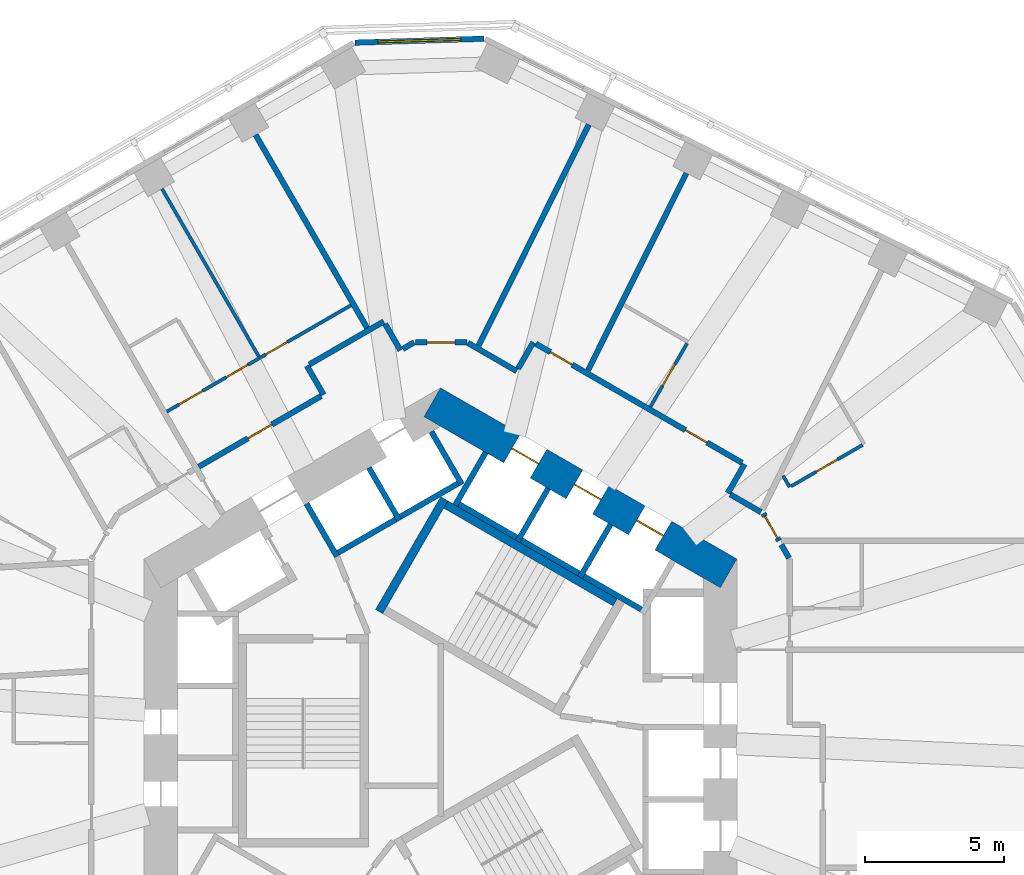
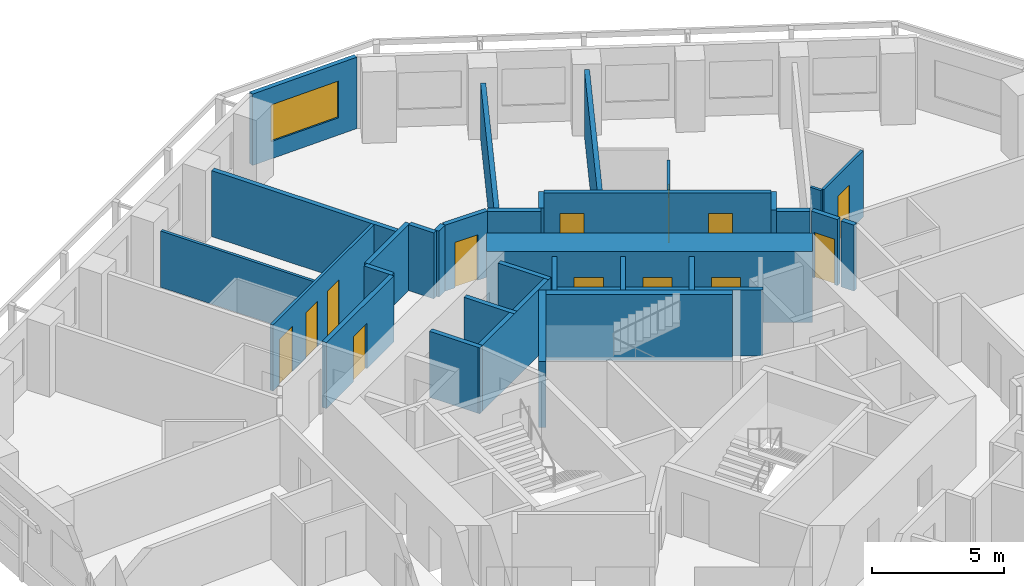
# One storey, part 8 of 12: 33 walls, 13 doors, 1 window, 14 openings.
"""IFC4 building model written with IfcOpenShell, lengths in metres."""

import ifcopenshell
import ifcopenshell.guid

model = None  # the IFC model being written
_history = None  # IfcOwnerHistory: only IFC2X3 demands one
_inside = {}  # id of a spatial element -> (the spatial element, [elements in it])
_under = {}  # id of a project, library or spatial element -> (it, [spatial elements below it])
_declared = {}  # id of a project -> (the project, [libraries it declares])
_typed = {}  # id of a type object -> (the type object, [elements of that type])
_made_of = {}  # id of a material, layer set ... -> (it, [elements and type objects made of it])


def new_model(schema):
    """Start an empty IFC model of exactly this schema.

    Asked for "IFC4X3", IfcOpenShell would pick the latest addendum, in which some entities
    have other attributes; the version numbers below select the first issue.
    IFC2X3 requires an IfcOwnerHistory on every rooted entity: one is made here for all.
    """
    global model, _history
    if schema == "IFC4X3":
        model = ifcopenshell.file(schema_version=(4, 3, 0, 0))
    else:
        model = ifcopenshell.file(schema=schema)
    _inside.clear()
    _under.clear()
    _declared.clear()
    _typed.clear()
    _made_of.clear()
    _history = None
    if model.schema == "IFC2X3":
        org = make("IfcOrganization", Name="unknown")
        user = make(
            "IfcPersonAndOrganization",
            ThePerson=make("IfcPerson", FamilyName="unknown"),
            TheOrganization=org,
        )
        app = make(
            "IfcApplication",
            ApplicationDeveloper=org,
            Version="unknown",
            ApplicationFullName="unknown",
            ApplicationIdentifier="unknown",
        )
        _history = make(
            "IfcOwnerHistory",
            OwningUser=user,
            OwningApplication=app,
            ChangeAction="ADDED",
            CreationDate=0,
        )
    return model


def make(cls, **values):
    """One entity of the class cls with the attributes given. An attribute that is None is left unset."""
    return model.create_entity(
        cls, **{name: value for name, value in values.items() if value is not None}
    )


def rooted(cls, **values):
    """An entity with a GlobalId (a new one), such as an element, a storey or a relation."""
    return make(cls, GlobalId=ifcopenshell.guid.new(), OwnerHistory=_history, **values)


def si_unit(unit_type, name, prefix=None):
    """IfcSIUnit, for example si_unit("LENGTHUNIT", "METRE", prefix="MILLI")."""
    return make("IfcSIUnit", UnitType=unit_type, Prefix=prefix, Name=name)


def assignment(units):
    """IfcUnitAssignment: the units of a project."""
    return None if units is None else make("IfcUnitAssignment", Units=units)


def point(xyz):
    """IfcCartesianPoint."""
    return None if xyz is None else make("IfcCartesianPoint", Coordinates=xyz)


def direction(xyz):
    """IfcDirection."""
    return None if xyz is None else make("IfcDirection", DirectionRatios=xyz)


def frame(location, z_axis=None, x_axis=None):
    """IfcAxis2Placement3D, a coordinate frame: its origin and axes. An axis left out is left unset."""
    return make(
        "IfcAxis2Placement3D",
        Location=point(location),
        Axis=direction(z_axis),
        RefDirection=direction(x_axis),
    )


def frame_2d(location, x_axis=None):
    """IfcAxis2Placement2D, a coordinate frame in the plane: its origin and x axis."""
    return make(
        "IfcAxis2Placement2D", Location=point(location), RefDirection=direction(x_axis)
    )


def origin():
    """The frame at (0, 0, 0) with its axes left unset."""
    return frame((0.0, 0.0, 0.0))


def place(relative_to, where):
    """IfcLocalPlacement: puts the frame where relative to a parent placement (None: the world)."""
    return make(
        "IfcLocalPlacement", PlacementRelTo=relative_to, RelativePlacement=where
    )


def context(
    kind, dimensions, precision=None, world=None, true_north=None, identifier=None
):
    """IfcGeometricRepresentationContext, for example the 3D "Model" context."""
    return make(
        "IfcGeometricRepresentationContext",
        ContextIdentifier=identifier,
        ContextType=kind,
        CoordinateSpaceDimension=dimensions,
        Precision=precision,
        WorldCoordinateSystem=world,
        TrueNorth=true_north,
    )


def subcontext(parent, identifier, kind, view, scale=None):
    """IfcGeometricRepresentationSubContext, for example "Body" below "Model"."""
    return make(
        "IfcGeometricRepresentationSubContext",
        ContextIdentifier=identifier,
        ContextType=kind,
        ParentContext=parent,
        TargetScale=scale,
        TargetView=view,
    )


def project(units=None, contexts=None):
    """IfcProject with its units and contexts."""
    return rooted(
        "IfcProject",
        Name="project",
        RepresentationContexts=contexts,
        UnitsInContext=assignment(units),
    )


def spatial(cls, under=None, at=None, **own):
    """A site, building, storey or space (cls), placed at a placement, below another one or the project."""
    s = rooted(cls, ObjectPlacement=at, **own)
    if under is not None:
        _under.setdefault(under.id(), (under, []))[1].append(s)
    return s


def profile(cls, at=None, kind="AREA", **sizes):
    """A parametric profile (cls). Its sizes go by their IFC names, for example OverallWidth=200.0."""
    return make(cls, ProfileType=kind, Position=at, **sizes)


def rectangle(**sizes):
    """IfcRectangleProfileDef."""
    return profile("IfcRectangleProfileDef", **sizes)


def extrude(swept, where, along, depth):
    """IfcExtrudedAreaSolid: the profile swept, set in the frame where, extruded along a direction by depth."""
    return make(
        "IfcExtrudedAreaSolid",
        SweptArea=swept,
        Position=where,
        ExtrudedDirection=direction(along),
        Depth=depth,
    )


def shape(context_of_items, identifier, shape_type, items):
    """IfcShapeRepresentation: the items that make up one representation, for example the "Body"."""
    return make(
        "IfcShapeRepresentation",
        ContextOfItems=context_of_items,
        RepresentationIdentifier=identifier,
        RepresentationType=shape_type,
        Items=items,
    )


def material(Name=None, Category=None):
    """IfcMaterial."""
    return make("IfcMaterial", Name=Name, Category=Category)


def layer(
    of_material, thickness, ventilated=None, Name=None, Category=None, Priority=None
):
    """IfcMaterialLayer: one layer of a wall or slab, of a material (None: an air gap)."""
    return make(
        "IfcMaterialLayer",
        Material=of_material,
        LayerThickness=thickness,
        IsVentilated=ventilated,
        Name=Name,
        Category=Category,
        Priority=Priority,
    )


def layer_set(layers, Name=None):
    """IfcMaterialLayerSet."""
    return make("IfcMaterialLayerSet", MaterialLayers=layers, LayerSetName=Name)


def made_of(thing, what):
    """Note that an element or type object is made of a material, layer set ...; save() writes the relation."""
    if what is not None:
        _made_of.setdefault(what.id(), (what, []))[1].append(thing)
    return thing


def type_object(cls, material=None, **own):
    """A type object (cls), such as IfcWallType, which elements share."""
    return made_of(rooted(cls, **own), material)


def element(
    cls,
    number,
    at=None,
    inside=None,
    cuts=None,
    type_object=None,
    material=None,
    context=None,
    identifier="Body",
    shape_type=None,
    held_by="IfcProductDefinitionShape",
    body=None,
    shapes=None,
    **own,
):
    """One element of the class cls, such as IfcWall. Its Tag is "e" and its number.

    at: its placement. inside: the storey or other place that contains it. cuts: it is an
    opening in that element (IfcRelVoidsElement). A single representation is given by context,
    identifier, shape_type and body (its items); several are given by shapes. held_by: the class
    of the entity that holds the representations. save() writes the other relations.
    """
    e = rooted(cls, Tag="e%d" % number, ObjectPlacement=at, **own)
    if body is not None:
        shapes = [shape(context, identifier, shape_type, body)]
    if shapes is not None:
        e.Representation = make(held_by, Representations=shapes)
    if inside is not None:
        _inside.setdefault(inside.id(), (inside, []))[1].append(e)
    if cuts is not None:
        rooted(
            "IfcRelVoidsElement", RelatingBuildingElement=cuts, RelatedOpeningElement=e
        )
    if type_object is not None:
        _typed.setdefault(type_object.id(), (type_object, []))[1].append(e)
    return made_of(e, material)


def fill(opening, filler):
    """IfcRelFillsElement: the door or window that sits in an opening."""
    return rooted(
        "IfcRelFillsElement",
        RelatingOpeningElement=opening,
        RelatedBuildingElement=filler,
    )


def aggregate(whole, parts):
    """IfcRelAggregates: a whole, such as a stair, and the parts it consists of."""
    return rooted("IfcRelAggregates", RelatingObject=whole, RelatedObjects=parts)


def save(model, path):
    """Write the relations noted so far, then the file.

    IfcRelAggregates (storeys below a building ...), IfcRelContainedInSpatialStructure (elements
    in a storey), IfcRelDefinesByType, IfcRelAssociatesMaterial and IfcRelDeclares: one each for
    every whole, place, type object, material and project.
    """
    for whole, parts in _under.values():
        aggregate(whole, parts)
    for where, things in _inside.values():
        rooted(
            "IfcRelContainedInSpatialStructure",
            RelatedElements=things,
            RelatingStructure=where,
        )
    for kind, things in _typed.values():
        rooted("IfcRelDefinesByType", RelatedObjects=things, RelatingType=kind)
    for what, things in _made_of.values():
        rooted("IfcRelAssociatesMaterial", RelatedObjects=things, RelatingMaterial=what)
    for by, libraries in _declared.values():
        rooted("IfcRelDeclares", RelatingContext=by, RelatedDefinitions=libraries)
    model.write(path)


model = new_model("IFC4")

# Units and contexts
model_context = context("Model", 3, precision=1e-05, world=origin(), true_north=direction((0.0, 1.0)))
body_context = subcontext(model_context, "Body", "Model", "MODEL_VIEW")
ifc_project = project(units=[si_unit("LENGTHUNIT", "METRE"), si_unit("AREAUNIT", "SQUARE_METRE"), si_unit("VOLUMEUNIT", "CUBIC_METRE"), si_unit("PLANEANGLEUNIT", "RADIAN"), si_unit("MASSUNIT", "GRAM", prefix="KILO")], contexts=[model_context])

# Site, building, storey
site_placement = place(None, origin())
site = spatial("IfcSite", under=ifc_project, at=site_placement, CompositionType="ELEMENT")
building_placement = place(site_placement, origin())
building = spatial("IfcBuilding", under=site, at=building_placement, Name="Vanh Sen Convention Tower", CompositionType="ELEMENT")
storey_placement = place(building_placement, frame((0.0, 0.0, 113.300048828125)))
storey = spatial("IfcBuildingStorey", under=building, at=storey_placement, Name="L27", CompositionType="ELEMENT", Elevation=113.300048828125)

# Wall
ifc_material_1 = material(Name="Moisture-resistant gypsum board on steel studs", Category="steel")
ifc_layer_1 = layer(ifc_material_1, 0.1201171875)
ifc_layer_set_1 = layer_set([ifc_layer_1], Name="Moisture-resistant gypsum board on steel studs")
wall_type_1 = type_object("IfcWallType", Name="Bathroom partition 120", PredefinedType="PARTITIONING", material=ifc_layer_set_1)
wall_1_placement = place(storey_placement, frame((-10.052978515625, 19.54150390625, 0.0), z_axis=(0.0, 0.0, 1.0), x_axis=(0.49998952364, -0.866031452229, 0.0)))
element("IfcWall", 1, at=wall_1_placement, inside=storey, type_object=wall_type_1, Name="Bathroom partition 120", PredefinedType="PARTITIONING", context=body_context, shape_type="SweptSolid", body=[
    extrude(rectangle(XDim=6.989990234375, YDim=0.1201171875, at=frame_2d((3.4951171875, 0.0))), origin(), (0.0, 0.0, 1.0), 2.599853515625),
])

# Wall, openings, doors
wall_2_placement = place(storey_placement, frame((-3.237060546875, 15.336181640625, 0.0), z_axis=(0.0, 0.0, 1.0), x_axis=(-0.866022840924, -0.500004438978, 0.0)))
wall_2 = element("IfcWall", 2, at=wall_2_placement, inside=storey, type_object=wall_type_1, Name="Bathroom partition 120", PredefinedType="PARTITIONING", context=body_context, shape_type="SweptSolid", body=[
    extrude(rectangle(XDim=7.66943359375, YDim=0.1201171875, at=frame_2d((3.834716796875, 0.0))), origin(), (0.0, 0.0, 1.0), 3.050048828125),
])
opening_1_placement = place(wall_2_placement, frame((6.169189453125, 0.0, 0.0)))
opening_1 = element("IfcOpeningElement", 3, at=opening_1_placement, cuts=wall_2, Name="Opening D27111", PredefinedType="OPENING", context=body_context, shape_type="SweptSolid", body=[
    extrude(rectangle(XDim=1.0, YDim=2.10009765625, at=frame_2d((0.5, 1.050048828125))), frame((0.0, 0.070068359375, 0.0), z_axis=(0.0, -1.0, 0.0), x_axis=(1.0, 0.0, 0.0)), (0.0, 0.0, 1.0), 0.14013671875),
])
opening_2_placement = place(wall_2_placement, frame((2.64990234375, 0.0, 0.0)))
opening_2 = element("IfcOpeningElement", 4, at=opening_2_placement, cuts=wall_2, Name="Opening D27112", PredefinedType="OPENING", context=body_context, shape_type="SweptSolid", body=[
    extrude(rectangle(XDim=0.89990234375, YDim=2.10009765625, at=frame_2d((0.449951171875, 1.050048828125))), frame((0.0, 0.070068359375, 0.0), z_axis=(0.0, -1.0, 0.0), x_axis=(1.0, 0.0, 0.0)), (0.0, 0.0, 1.0), 0.14013671875),
])
opening_3_placement = place(wall_2_placement, frame((4.28466796875, 0.0, 0.0)))
opening_3 = element("IfcOpeningElement", 5, at=opening_3_placement, cuts=wall_2, Name="Opening D27113", PredefinedType="OPENING", context=body_context, shape_type="SweptSolid", body=[
    extrude(rectangle(XDim=0.89990234375, YDim=2.10009765625, at=frame_2d((0.449951171875, 1.050048828125))), frame((0.0, 0.070068359375, 0.0), z_axis=(0.0, -1.0, 0.0), x_axis=(1.0, 0.0, 0.0)), (0.0, 0.0, 1.0), 0.14013671875),
])
ifc_material_2 = material(Name="Laminate door in steel frame", Category="steel")
door_type_1 = type_object("IfcDoorType", Name="Accessible WC door 1000", OperationType="SINGLE_SWING_LEFT", PredefinedType="DOOR", material=ifc_material_2)
door_1_placement = place(opening_1_placement, origin())
door_1 = element("IfcDoor", 6, at=door_1_placement, inside=storey, type_object=door_type_1, Name="Accessible WC door D27111", OperationType="SINGLE_SWING_LEFT", OverallHeight=2.10009765625, OverallWidth=1.0, PredefinedType="DOOR", context=body_context, shape_type="SweptSolid", body=[
    extrude(rectangle(XDim=1.0, YDim=2.10009765625, at=frame_2d((0.5, 1.050048828125))), frame((0.0, 0.02490234375, 0.0), z_axis=(0.0, -1.0, 0.0), x_axis=(1.0, 0.0, 0.0)), (0.0, 0.0, 1.0), 0.050048828125),
])
fill(opening_1, door_1)
door_type_2 = type_object("IfcDoorType", Name="Room internal door 900", OperationType="SINGLE_SWING_LEFT", PredefinedType="DOOR", material=ifc_material_2)
door_2_placement = place(opening_2_placement, origin())
door_2 = element("IfcDoor", 7, at=door_2_placement, inside=storey, type_object=door_type_2, Name="Internal room door D27112", OperationType="SINGLE_SWING_LEFT", OverallHeight=2.10009765625, OverallWidth=0.89990234375, PredefinedType="DOOR", context=body_context, shape_type="SweptSolid", body=[
    extrude(rectangle(XDim=0.89990234375, YDim=2.10009765625, at=frame_2d((0.449951171875, 1.050048828125))), frame((0.0, 0.02490234375, 0.0), z_axis=(0.0, -1.0, 0.0), x_axis=(1.0, 0.0, 0.0)), (0.0, 0.0, 1.0), 0.050048828125),
])
fill(opening_2, door_2)
door_3_placement = place(opening_3_placement, origin())
door_3 = element("IfcDoor", 8, at=door_3_placement, inside=storey, type_object=door_type_2, Name="Internal room door D27113", OperationType="SINGLE_SWING_LEFT", OverallHeight=2.10009765625, OverallWidth=0.89990234375, PredefinedType="DOOR", context=body_context, shape_type="SweptSolid", body=[
    extrude(rectangle(XDim=0.89990234375, YDim=2.10009765625, at=frame_2d((0.449951171875, 1.050048828125))), frame((0.0, 0.02490234375, 0.0), z_axis=(0.0, -1.0, 0.0), x_axis=(1.0, 0.0, 0.0)), (0.0, 0.0, 1.0), 0.050048828125),
])
fill(opening_3, door_3)

# Wall, opening, door
wall_3_placement = place(storey_placement, frame((8.8974609375, 13.962890625, 0.0), z_axis=(0.0, 0.0, 1.0), x_axis=(-0.500048002682, -0.865997687649, 0.0)))
wall_3 = element("IfcWall", 9, at=wall_3_placement, inside=storey, type_object=wall_type_1, Name="Bathroom partition 120", PredefinedType="PARTITIONING", context=body_context, shape_type="SweptSolid", body=[
    extrude(rectangle(XDim=2.639892578125, YDim=0.1201171875, at=frame_2d((1.31982421875, 0.0))), origin(), (0.0, 0.0, 1.0), 2.599853515625),
])
opening_4_placement = place(wall_3_placement, frame((0.8701171875, 0.0, 0.0)))
opening_4 = element("IfcOpeningElement", 10, at=opening_4_placement, cuts=wall_3, Name="Opening D27107", PredefinedType="OPENING", context=body_context, shape_type="SweptSolid", body=[
    extrude(rectangle(XDim=0.89990234375, YDim=2.10009765625, at=frame_2d((0.449951171875, 1.050048828125))), frame((0.0, 0.070068359375, 0.0), z_axis=(0.0, -1.0, 0.0), x_axis=(1.0, 0.0, 0.0)), (0.0, 0.0, 1.0), 0.14013671875),
])
door_type_3 = type_object("IfcDoorType", Name="En-suite door 900", OperationType="SINGLE_SWING_LEFT", PredefinedType="DOOR", material=ifc_material_2)
door_4_placement = place(opening_4_placement, origin())
door_4 = element("IfcDoor", 11, at=door_4_placement, inside=storey, type_object=door_type_3, Name="En-suite door D27107", OperationType="SINGLE_SWING_LEFT", OverallHeight=2.10009765625, OverallWidth=0.89990234375, PredefinedType="DOOR", context=body_context, shape_type="SweptSolid", body=[
    extrude(rectangle(XDim=0.89990234375, YDim=2.10009765625, at=frame_2d((0.449951171875, 1.050048828125))), frame((0.0, 0.02490234375, 0.0), z_axis=(0.0, -1.0, 0.0), x_axis=(1.0, 0.0, 0.0)), (0.0, 0.0, 1.0), 0.050048828125),
])
fill(opening_4, door_4)

# Wall
wall_4_placement = place(storey_placement, frame((12.600830078125, 8.776123046875, 0.0), z_axis=(0.0, 0.0, 1.0), x_axis=(-0.500166486798, 0.865929261247, 0.0)))
element("IfcWall", 12, at=wall_4_placement, inside=storey, type_object=wall_type_1, Name="Bathroom partition 120", PredefinedType="PARTITIONING", context=body_context, shape_type="SweptSolid", body=[
    extrude(rectangle(XDim=0.475830078125, YDim=0.1201171875, at=frame_2d((0.23779296875, 0.0))), origin(), (0.0, 0.0, 1.0), 3.050048828125),
])

# Wall, opening, door
wall_5_placement = place(storey_placement, frame((15.2333984375, 10.296142578125, 0.0), z_axis=(0.0, 0.0, 1.0), x_axis=(-0.866010940986, -0.500025049464, 0.0)))
wall_5 = element("IfcWall", 13, at=wall_5_placement, inside=storey, type_object=wall_type_1, Name="Bathroom partition 120", PredefinedType="PARTITIONING", context=body_context, shape_type="SweptSolid", body=[
    extrude(rectangle(XDim=2.979736328125, YDim=0.1201171875, at=frame_2d((1.48974609375, 0.0))), origin(), (0.0, 0.0, 1.0), 3.050048828125),
])
opening_5_placement = place(wall_5_placement, frame((1.0400390625, 0.0, 0.0)))
opening_5 = element("IfcOpeningElement", 14, at=opening_5_placement, cuts=wall_5, Name="Opening D27105", PredefinedType="OPENING", context=body_context, shape_type="SweptSolid", body=[
    extrude(rectangle(XDim=0.89990234375, YDim=2.10009765625, at=frame_2d((0.449951171875, 1.050048828125))), frame((0.0, 0.070068359375, 0.0), z_axis=(0.0, -1.0, 0.0), x_axis=(1.0, 0.0, 0.0)), (0.0, 0.0, 1.0), 0.14013671875),
])
door_5_placement = place(opening_5_placement, origin())
door_5 = element("IfcDoor", 15, at=door_5_placement, inside=storey, type_object=door_type_3, Name="En-suite door D27105", OperationType="SINGLE_SWING_LEFT", OverallHeight=2.10009765625, OverallWidth=0.89990234375, PredefinedType="DOOR", context=body_context, shape_type="SweptSolid", body=[
    extrude(rectangle(XDim=0.89990234375, YDim=2.10009765625, at=frame_2d((0.449951171875, 1.050048828125))), frame((0.0, 0.02490234375, 0.0), z_axis=(0.0, -1.0, 0.0), x_axis=(1.0, 0.0, 0.0)), (0.0, 0.0, 1.0), 0.050048828125),
])
fill(opening_5, door_5)

# Wall, openings, doors
ifc_material_3 = material(Name="Concrete C80/95", Category="concrete")
ifc_layer_2 = layer(ifc_material_3, 1.199951171875)
ifc_layer_set_2 = layer_set([ifc_layer_2], Name="Concrete C80/95")
wall_type_2 = type_object("IfcWallType", Name="Core outer wall 1200 C80/95", PredefinedType="SHEAR", material=ifc_layer_set_2)
wall_6_placement = place(storey_placement, frame((10.39990234375, 5.657958984375, 0.0), z_axis=(0.0, 0.0, 1.0), x_axis=(-0.866021384402, 0.500006961711, 0.0)))
wall_6 = element("IfcWall", 16, at=wall_6_placement, inside=storey, type_object=wall_type_2, Name="Core wall face NE L27", PredefinedType="SHEAR", context=body_context, shape_type="SweptSolid", body=[
    extrude(rectangle(XDim=12.355224609375, YDim=1.199951171875, at=frame_2d((6.177734375, 0.0))), origin(), (0.0, 0.0, 1.0), 3.300048828125),
])
opening_6_placement = place(wall_6_placement, frame((2.727783203125, 0.0, 0.0)))
opening_6 = element("IfcOpeningElement", 17, at=opening_6_placement, cuts=wall_6, Name="Opening LD-LR3", PredefinedType="OPENING", context=body_context, shape_type="SweptSolid", body=[
    extrude(rectangle(XDim=1.10009765625, YDim=2.10009765625, at=frame_2d((0.550048828125, 1.050048828125))), frame((0.0, 0.60986328125, 0.0), z_axis=(0.0, -1.0, 0.0), x_axis=(1.0, 0.0, 0.0)), (0.0, 0.0, 1.0), 1.219970703125),
])
opening_7_placement = place(wall_6_placement, frame((5.32763671875, 0.0, 0.0)))
opening_7 = element("IfcOpeningElement", 18, at=opening_7_placement, cuts=wall_6, Name="Opening LD-LR4", PredefinedType="OPENING", context=body_context, shape_type="SweptSolid", body=[
    extrude(rectangle(XDim=1.10009765625, YDim=2.10009765625, at=frame_2d((0.550048828125, 1.050048828125))), frame((0.0, 0.60986328125, 0.0), z_axis=(0.0, -1.0, 0.0), x_axis=(1.0, 0.0, 0.0)), (0.0, 0.0, 1.0), 1.219970703125),
])
opening_8_placement = place(wall_6_placement, frame((7.927734375, 0.0, 0.0)))
opening_8 = element("IfcOpeningElement", 19, at=opening_8_placement, cuts=wall_6, Name="Opening LD-LR5", PredefinedType="OPENING", context=body_context, shape_type="SweptSolid", body=[
    extrude(rectangle(XDim=1.10009765625, YDim=2.10009765625, at=frame_2d((0.550048828125, 1.050048828125))), frame((0.0, 0.60986328125, 0.0), z_axis=(0.0, -1.0, 0.0), x_axis=(1.0, 0.0, 0.0)), (0.0, 0.0, 1.0), 1.219970703125),
])
ifc_material_4 = material(Name="Stainless steel", Category="steel")
door_type_4 = type_object("IfcDoorType", Name="Lift landing door 1100", OperationType="DOUBLE_DOOR_SLIDING", PredefinedType="DOOR", material=ifc_material_4)
door_6_placement = place(opening_6_placement, origin())
door_6 = element("IfcDoor", 20, at=door_6_placement, inside=storey, type_object=door_type_4, Name="Lift LR3 landing door LD-LR3", OperationType="DOUBLE_DOOR_SLIDING", OverallHeight=2.10009765625, OverallWidth=1.10009765625, PredefinedType="DOOR", context=body_context, shape_type="SweptSolid", body=[
    extrude(rectangle(XDim=1.10009765625, YDim=2.10009765625, at=frame_2d((0.550048828125, 1.050048828125))), frame((0.0, 0.02490234375, 0.0), z_axis=(0.0, -1.0, 0.0), x_axis=(1.0, 0.0, 0.0)), (0.0, 0.0, 1.0), 0.050048828125),
])
fill(opening_6, door_6)
door_7_placement = place(opening_7_placement, origin())
door_7 = element("IfcDoor", 21, at=door_7_placement, inside=storey, type_object=door_type_4, Name="Lift LR4 landing door LD-LR4", OperationType="DOUBLE_DOOR_SLIDING", OverallHeight=2.10009765625, OverallWidth=1.10009765625, PredefinedType="DOOR", context=body_context, shape_type="SweptSolid", body=[
    extrude(rectangle(XDim=1.10009765625, YDim=2.10009765625, at=frame_2d((0.550048828125, 1.050048828125))), frame((0.0, 0.02490234375, 0.0), z_axis=(0.0, -1.0, 0.0), x_axis=(1.0, 0.0, 0.0)), (0.0, 0.0, 1.0), 0.050048828125),
])
fill(opening_7, door_7)
door_8_placement = place(opening_8_placement, origin())
door_8 = element("IfcDoor", 22, at=door_8_placement, inside=storey, type_object=door_type_4, Name="Lift LR5 landing door LD-LR5", OperationType="DOUBLE_DOOR_SLIDING", OverallHeight=2.10009765625, OverallWidth=1.10009765625, PredefinedType="DOOR", context=body_context, shape_type="SweptSolid", body=[
    extrude(rectangle(XDim=1.10009765625, YDim=2.10009765625, at=frame_2d((0.550048828125, 1.050048828125))), frame((0.0, 0.02490234375, 0.0), z_axis=(0.0, -1.0, 0.0), x_axis=(1.0, 0.0, 0.0)), (0.0, 0.0, 1.0), 0.050048828125),
])
fill(opening_8, door_8)

# Wall
ifc_material_5 = material(Name="Gypsum board on steel studs with mineral wool", Category="steel")
ifc_layer_3 = layer(ifc_material_5, 0.199951171875)
ifc_layer_set_3 = layer_set([ifc_layer_3], Name="Gypsum board on steel studs with mineral wool")
wall_type_3 = type_object("IfcWallType", Name="Corridor partition wall 200", PredefinedType="PARTITIONING", material=ifc_layer_set_3)
wall_7_placement = place(storey_placement, frame((-4.822998046875, 13.151611328125, 0.0), z_axis=(0.0, 0.0, 1.0), x_axis=(0.499986357472, -0.866033280158, 0.0)))
element("IfcWall", 23, at=wall_7_placement, inside=storey, type_object=wall_type_3, Name="Corridor partition wall 200", PredefinedType="PARTITIONING", context=body_context, shape_type="SweptSolid", body=[
    extrude(rectangle(XDim=1.201171875, YDim=0.199951171875, at=frame_2d((0.6005859375, 0.0))), origin(), (0.0, 0.0, 1.0), 3.050048828125),
])

# Wall, opening, door
wall_8_placement = place(storey_placement, frame((-4.30908203125, 12.061279296875, 0.0), z_axis=(0.0, 0.0, 1.0), x_axis=(-0.866020679205, -0.500008183122, 0.0)))
wall_8 = element("IfcWall", 24, at=wall_8_placement, inside=storey, type_object=wall_type_3, Name="Corridor partition wall 200", PredefinedType="PARTITIONING", context=body_context, shape_type="SweptSolid", body=[
    extrude(rectangle(XDim=5.103515625, YDim=0.199951171875, at=frame_2d((2.5517578125, 0.0))), origin(), (0.0, 0.0, 1.0), 3.050048828125),
])
opening_9_placement = place(wall_8_placement, frame((2.0517578125, 0.0, 0.0)))
opening_9 = element("IfcOpeningElement", 25, at=opening_9_placement, cuts=wall_8, Name="Opening D27110", PredefinedType="OPENING", context=body_context, shape_type="SweptSolid", body=[
    extrude(rectangle(XDim=1.0, YDim=2.10009765625, at=frame_2d((0.5, 1.050048828125))), frame((0.0, 0.10986328125, 0.0), z_axis=(0.0, -1.0, 0.0), x_axis=(1.0, 0.0, 0.0)), (0.0, 0.0, 1.0), 0.219970703125),
])
ifc_material_6 = material(Name="Timber fire door in steel frame", Category="steel")
door_type_5 = type_object("IfcDoorType", Name="Floor room door 1000", OperationType="SINGLE_SWING_LEFT", PredefinedType="DOOR", material=ifc_material_6)
door_9_placement = place(opening_9_placement, origin())
door_9 = element("IfcDoor", 26, at=door_9_placement, inside=storey, type_object=door_type_5, Name="Meeting and amenity room door D27110", OperationType="SINGLE_SWING_LEFT", OverallHeight=2.10009765625, OverallWidth=1.0, PredefinedType="DOOR", context=body_context, shape_type="SweptSolid", body=[
    extrude(rectangle(XDim=1.0, YDim=2.10009765625, at=frame_2d((0.5, 1.050048828125))), frame((0.0, 0.02490234375, 0.0), z_axis=(0.0, -1.0, 0.0), x_axis=(1.0, 0.0, 0.0)), (0.0, 0.0, 1.0), 0.050048828125),
])
fill(opening_9, door_9)

# Walls
wall_9_placement = place(storey_placement, frame((-2.0498046875, 14.75244140625, 0.0), z_axis=(0.0, 0.0, 1.0), x_axis=(-0.866030936828, -0.499990416364, 0.0)))
element("IfcWall", 27, at=wall_9_placement, inside=storey, type_object=wall_type_3, Name="Corridor partition wall 200", PredefinedType="PARTITIONING", context=body_context, shape_type="SweptSolid", body=[
    extrude(rectangle(XDim=3.10205078125, YDim=0.199951171875, at=frame_2d((1.551025390625, 0.0))), origin(), (0.0, 0.0, 1.0), 3.050048828125),
])
wall_10_placement = place(storey_placement, frame((-1.449462890625, 13.71240234375, 0.0), z_axis=(0.0, 0.0, 1.0), x_axis=(-0.499978356969, 0.866037899034, 0.0)))
element("IfcWall", 28, at=wall_10_placement, inside=storey, type_object=wall_type_3, Name="Corridor partition wall 200", PredefinedType="PARTITIONING", context=body_context, shape_type="SweptSolid", body=[
    extrude(rectangle(XDim=1.10107421875, YDim=0.199951171875, at=frame_2d((0.550537109375, 0.0))), origin(), (0.0, 0.0, 1.0), 3.050048828125),
])
wall_11_placement = place(storey_placement, frame((-0.949951171875, 14.000732421875, 0.0), z_axis=(0.0, 0.0, 1.0), x_axis=(-0.86609177584, -0.499885022602, 0.0)))
element("IfcWall", 29, at=wall_11_placement, inside=storey, type_object=wall_type_3, Name="Corridor partition wall 200", PredefinedType="PARTITIONING", context=body_context, shape_type="SweptSolid", body=[
    extrude(rectangle(XDim=0.4765625, YDim=0.199951171875, at=frame_2d((0.23828125, 0.0))), origin(), (0.0, 0.0, 1.0), 3.050048828125),
])

# Wall, opening, door
wall_12_placement = place(storey_placement, frame((0.949951171875, 14.000732421875, 0.0), z_axis=(0.0, 0.0, 1.0), x_axis=(-1.0, 0.0, 0.0)))
wall_12 = element("IfcWall", 30, at=wall_12_placement, inside=storey, type_object=wall_type_3, Name="Corridor partition wall 200", PredefinedType="PARTITIONING", context=body_context, shape_type="SweptSolid", body=[
    extrude(rectangle(XDim=1.85986328125, YDim=0.199951171875, at=frame_2d((0.929931640625, 0.0))), origin(), (0.0, 0.0, 1.0), 3.050048828125),
])
opening_10_placement = place(wall_12_placement, frame((0.429931640625, 0.0, 0.0)))
opening_10 = element("IfcOpeningElement", 31, at=opening_10_placement, cuts=wall_12, Name="Opening D27109", PredefinedType="OPENING", context=body_context, shape_type="SweptSolid", body=[
    extrude(rectangle(XDim=1.0, YDim=2.10009765625, at=frame_2d((0.5, 1.050048828125))), frame((0.0, 0.10986328125, 0.0), z_axis=(0.0, -1.0, 0.0), x_axis=(1.0, 0.0, 0.0)), (0.0, 0.0, 1.0), 0.219970703125),
])
door_10_placement = place(opening_10_placement, origin())
door_10 = element("IfcDoor", 32, at=door_10_placement, inside=storey, type_object=door_type_5, Name="Meeting and amenity room door D27109", OperationType="SINGLE_SWING_LEFT", OverallHeight=2.10009765625, OverallWidth=1.0, PredefinedType="DOOR", context=body_context, shape_type="SweptSolid", body=[
    extrude(rectangle(XDim=1.0, YDim=2.10009765625, at=frame_2d((0.5, 1.050048828125))), frame((0.0, 0.02490234375, 0.0), z_axis=(0.0, -1.0, 0.0), x_axis=(1.0, 0.0, 0.0)), (0.0, 0.0, 1.0), 0.050048828125),
])
fill(opening_10, door_10)

# Walls
wall_13_placement = place(storey_placement, frame((2.748291015625, 12.96240234375, 0.0), z_axis=(0.0, 0.0, 1.0), x_axis=(-0.866013897511, 0.50001992892, 0.0)))
element("IfcWall", 33, at=wall_13_placement, inside=storey, type_object=wall_type_3, Name="Corridor partition wall 200", PredefinedType="PARTITIONING", context=body_context, shape_type="SweptSolid", body=[
    extrude(rectangle(XDim=2.03662109375, YDim=0.199951171875, at=frame_2d((1.018310546875, 0.0))), origin(), (0.0, 0.0, 1.0), 3.050048828125),
])
wall_14_placement = place(storey_placement, frame((3.348876953125, 14.00244140625, 0.0), z_axis=(0.0, 0.0, 1.0), x_axis=(-0.500074377092, -0.865982457891, 0.0)))
element("IfcWall", 34, at=wall_14_placement, inside=storey, type_object=wall_type_3, Name="Corridor partition wall 200", PredefinedType="PARTITIONING", context=body_context, shape_type="SweptSolid", body=[
    extrude(rectangle(XDim=1.100830078125, YDim=0.199951171875, at=frame_2d((0.55029296875, 0.0))), origin(), (0.0, 0.0, 1.0), 3.050048828125),
])
wall_15_placement = place(storey_placement, frame((10.37109375, 8.561279296875, 0.0), z_axis=(0.0, 0.0, 1.0), x_axis=(0.499986357472, 0.866033280158, 0.0)))
element("IfcWall", 35, at=wall_15_placement, inside=storey, type_object=wall_type_3, Name="Corridor partition wall 200", PredefinedType="PARTITIONING", context=body_context, shape_type="SweptSolid", body=[
    extrude(rectangle(XDim=1.201171875, YDim=0.199951171875, at=frame_2d((0.6005859375, 0.0))), origin(), (0.0, 0.0, 1.0), 3.050048828125),
])

# Wall, openings, doors
wall_16_placement = place(storey_placement, frame((10.885009765625, 9.651611328125, 0.0), z_axis=(0.0, 0.0, 1.0), x_axis=(-0.866033868542, 0.499985338323, 0.0)))
wall_16 = element("IfcWall", 36, at=wall_16_placement, inside=storey, type_object=wall_type_3, Name="Corridor partition wall 200", PredefinedType="PARTITIONING", context=body_context, shape_type="SweptSolid", body=[
    extrude(rectangle(XDim=8.601806640625, YDim=0.199951171875, at=frame_2d((4.30078125, 0.0))), origin(), (0.0, 0.0, 1.0), 3.050048828125),
])
opening_11_placement = place(wall_16_placement, frame((1.463623046875, 0.0, 0.0)))
opening_11 = element("IfcOpeningElement", 37, at=opening_11_placement, cuts=wall_16, Name="Opening D27106", PredefinedType="OPENING", context=body_context, shape_type="SweptSolid", body=[
    extrude(rectangle(XDim=0.89990234375, YDim=2.10009765625, at=frame_2d((0.449951171875, 1.050048828125))), frame((0.0, 0.10986328125, 0.0), z_axis=(0.0, -1.0, 0.0), x_axis=(1.0, 0.0, 0.0)), (0.0, 0.0, 1.0), 0.219970703125),
])
opening_12_placement = place(wall_16_placement, frame((7.089599609375, 0.0, 0.0)))
opening_12 = element("IfcOpeningElement", 38, at=opening_12_placement, cuts=wall_16, Name="Opening D27108", PredefinedType="OPENING", context=body_context, shape_type="SweptSolid", body=[
    extrude(rectangle(XDim=0.89990234375, YDim=2.10009765625, at=frame_2d((0.449951171875, 1.050048828125))), frame((0.0, 0.10986328125, 0.0), z_axis=(0.0, -1.0, 0.0), x_axis=(1.0, 0.0, 0.0)), (0.0, 0.0, 1.0), 0.219970703125),
])
door_type_6 = type_object("IfcDoorType", Name="Floor service door 900", OperationType="SINGLE_SWING_LEFT", PredefinedType="DOOR", material=ifc_material_6)
door_11_placement = place(opening_12_placement, origin())
door_11 = element("IfcDoor", 39, at=door_11_placement, inside=storey, type_object=door_type_6, Name="Service room door D27108", OperationType="SINGLE_SWING_LEFT", OverallHeight=2.10009765625, OverallWidth=0.89990234375, PredefinedType="DOOR", context=body_context, shape_type="SweptSolid", body=[
    extrude(rectangle(XDim=0.89990234375, YDim=2.10009765625, at=frame_2d((0.449951171875, 1.050048828125))), frame((0.0, 0.02490234375, 0.0), z_axis=(0.0, -1.0, 0.0), x_axis=(1.0, 0.0, 0.0)), (0.0, 0.0, 1.0), 0.050048828125),
])
fill(opening_12, door_11)
door_type_7 = type_object("IfcDoorType", Name="Guest room door 900", OperationType="SINGLE_SWING_LEFT", PredefinedType="DOOR", material=ifc_material_6)
door_12_placement = place(opening_11_placement, origin())
door_12 = element("IfcDoor", 40, at=door_12_placement, inside=storey, type_object=door_type_7, Name="Hotel guest room door D27106", OperationType="SINGLE_SWING_LEFT", OverallHeight=2.10009765625, OverallWidth=0.89990234375, PredefinedType="DOOR", context=body_context, shape_type="SweptSolid", body=[
    extrude(rectangle(XDim=0.89990234375, YDim=2.10009765625, at=frame_2d((0.449951171875, 1.050048828125))), frame((0.0, 0.02490234375, 0.0), z_axis=(0.0, -1.0, 0.0), x_axis=(1.0, 0.0, 0.0)), (0.0, 0.0, 1.0), 0.050048828125),
])
fill(opening_11, door_12)

# Wall
wall_17_placement = place(storey_placement, frame((11.56640625, 7.871337890625, 0.0), z_axis=(0.0, 0.0, 1.0), x_axis=(-0.866004557827, 0.500036104519, 0.0)))
element("IfcWall", 41, at=wall_17_placement, inside=storey, type_object=wall_type_3, Name="Corridor partition wall 200", PredefinedType="PARTITIONING", context=body_context, shape_type="SweptSolid", body=[
    extrude(rectangle(XDim=1.2802734375, YDim=0.199951171875, at=frame_2d((0.64013671875, 0.0))), origin(), (0.0, 0.0, 1.0), 3.050048828125),
])

# Wall, opening, door
wall_18_placement = place(storey_placement, frame((12.218017578125, 6.839111328125, 0.0), z_axis=(0.0, 0.0, 1.0), x_axis=(-0.500044870432, 0.865999496279, 0.0)))
wall_18 = element("IfcWall", 42, at=wall_18_placement, inside=storey, type_object=wall_type_3, Name="Corridor partition wall 200", PredefinedType="PARTITIONING", context=body_context, shape_type="SweptSolid", body=[
    extrude(rectangle(XDim=1.13623046875, YDim=0.199951171875, at=frame_2d((0.568115234375, 0.0))), origin(), (0.0, 0.0, 1.0), 3.050048828125),
])
opening_13_placement = place(wall_18_placement, frame((0.1181640625, 0.0, 0.0)))
opening_13 = element("IfcOpeningElement", 43, at=opening_13_placement, cuts=wall_18, Name="Opening D27104", PredefinedType="OPENING", context=body_context, shape_type="SweptSolid", body=[
    extrude(rectangle(XDim=0.89990234375, YDim=2.10009765625, at=frame_2d((0.449951171875, 1.050048828125))), frame((0.0, 0.10986328125, 0.0), z_axis=(0.0, -1.0, 0.0), x_axis=(1.0, 0.0, 0.0)), (0.0, 0.0, 1.0), 0.219970703125),
])
door_13_placement = place(opening_13_placement, origin())
door_13 = element("IfcDoor", 44, at=door_13_placement, inside=storey, type_object=door_type_7, Name="Hotel guest room door D27104", OperationType="SINGLE_SWING_LEFT", OverallHeight=2.10009765625, OverallWidth=0.89990234375, PredefinedType="DOOR", context=body_context, shape_type="SweptSolid", body=[
    extrude(rectangle(XDim=0.89990234375, YDim=2.10009765625, at=frame_2d((0.449951171875, 1.050048828125))), frame((0.0, 0.02490234375, 0.0), z_axis=(0.0, -1.0, 0.0), x_axis=(1.0, 0.0, 0.0)), (0.0, 0.0, 1.0), 0.050048828125),
])
fill(opening_13, door_13)

# Wall
wall_19_placement = place(storey_placement, frame((12.580078125, 6.212158203125, 0.0), z_axis=(0.0, 0.0, 1.0), x_axis=(-0.499936258447, 0.86606220186, 0.0)))
element("IfcWall", 45, at=wall_19_placement, inside=storey, type_object=wall_type_3, Name="Corridor partition wall 200", PredefinedType="PARTITIONING", context=body_context, shape_type="SweptSolid", body=[
    extrude(rectangle(XDim=0.56005859375, YDim=0.199951171875, at=frame_2d((0.280029296875, 0.0))), origin(), (0.0, 0.0, 1.0), 3.050048828125),
])

# Wall, opening, window
ifc_material_7 = material(Name="Insulated lightweight infill wall")
ifc_layer_4 = layer(ifc_material_7, 0.199951171875)
ifc_layer_set_4 = layer_set([ifc_layer_4], Name="Insulated lightweight infill wall")
wall_type_4 = type_object("IfcWallType", Name="External wall 200", PredefinedType="STANDARD", material=ifc_layer_set_4)
wall_20_placement = place(storey_placement, frame((1.568359375, 24.9609375, 0.0), z_axis=(0.0, 0.0, 1.0), x_axis=(-0.999533359013, -0.030546099927, 0.0)))
wall_20 = element("IfcWall", 46, at=wall_20_placement, inside=storey, type_object=wall_type_4, Name="External wall CH2 L27", PredefinedType="STANDARD", context=body_context, shape_type="SweptSolid", body=[
    extrude(rectangle(XDim=4.65966796875, YDim=0.199951171875, at=frame_2d((2.329833984375, 0.0))), origin(), (0.0, 0.0, 1.0), 3.300048828125),
])
opening_14_placement = place(wall_20_placement, frame((0.829833984375, 0.0, 0.800048828125)))
opening_14 = element("IfcOpeningElement", 47, at=opening_14_placement, cuts=wall_20, Name="Opening WH2-CH21", PredefinedType="OPENING", context=body_context, shape_type="SweptSolid", body=[
    extrude(rectangle(XDim=3.0, YDim=1.699951171875, at=frame_2d((1.5, 0.85009765625))), frame((0.0, 0.10986328125, 0.0), z_axis=(0.0, -1.0, 0.0), x_axis=(1.0, 0.0, 0.0)), (0.0, 0.0, 1.0), 0.219970703125),
])
ifc_material_8 = material(Name="Aluminium frame with clear low-emissivity glass", Category="aluminium")
window_type = type_object("IfcWindowType", Name="Hotel window 3000 x 1700", PartitioningType="SINGLE_PANEL", PredefinedType="WINDOW", material=ifc_material_8)
window_placement = place(opening_14_placement, origin())
window = element("IfcWindow", 48, at=window_placement, inside=storey, type_object=window_type, Name="Window WH2-CH21", OverallHeight=1.699951171875, OverallWidth=3.0, PartitioningType="SINGLE_PANEL", PredefinedType="WINDOW", context=body_context, shape_type="SweptSolid", body=[
    extrude(rectangle(XDim=3.0, YDim=1.699951171875, at=frame_2d((1.5, 0.85009765625))), frame((0.0, 0.030029296875, 0.0), z_axis=(0.0, -1.0, 0.0), x_axis=(1.0, 0.0, 0.0)), (0.0, 0.0, 1.0), 0.06005859375),
])
fill(opening_14, window)

# Walls
ifc_layer_5 = layer(ifc_material_5, 0.199951171875)
ifc_layer_set_5 = layer_set([ifc_layer_5], Name="Gypsum board on steel studs with mineral wool")
wall_type_5 = type_object("IfcWallType", Name="Hotel party wall 200", PredefinedType="PARTITIONING", material=ifc_layer_set_5)
wall_21_placement = place(storey_placement, frame((-6.675537109375, 21.49169921875, 0.0), z_axis=(0.0, 0.0, 1.0), x_axis=(0.500011263043, -0.866018900966, 0.0)))
element("IfcWall", 49, at=wall_21_placement, inside=storey, type_object=wall_type_5, Name="Hotel party wall 200", PredefinedType="PARTITIONING", context=body_context, shape_type="SweptSolid", body=[
    extrude(rectangle(XDim=8.049072265625, YDim=0.199951171875, at=frame_2d((4.0244140625, 0.0))), origin(), (0.0, 0.0, 1.0), 3.050048828125),
])
wall_22_placement = place(storey_placement, frame((5.35107421875, 21.859130859375, 0.0), z_axis=(0.0, 0.0, 1.0), x_axis=(-0.446205309328, -0.894930624086, 0.0)))
element("IfcWall", 50, at=wall_22_placement, inside=storey, type_object=wall_type_5, Name="Hotel party wall 200", PredefinedType="PARTITIONING", context=body_context, shape_type="SweptSolid", body=[
    extrude(rectangle(XDim=8.9130859375, YDim=0.199951171875, at=frame_2d((4.45654296875, 0.0))), origin(), (0.0, 0.0, 1.0), 2.599853515625),
])
wall_23_placement = place(storey_placement, frame((8.872314453125, 20.103515625, 0.0), z_axis=(0.0, 0.0, 1.0), x_axis=(-0.446218378653, -0.894924107706, 0.0)))
element("IfcWall", 51, at=wall_23_placement, inside=storey, type_object=wall_type_5, Name="Hotel party wall 200", PredefinedType="PARTITIONING", context=body_context, shape_type="SweptSolid", body=[
    extrude(rectangle(XDim=7.950439453125, YDim=0.199951171875, at=frame_2d((3.97509765625, 0.0))), origin(), (0.0, 0.0, 1.0), 3.050048828125),
])
ifc_material_9 = material(Name="Concrete C40/50", Category="concrete")
ifc_layer_6 = layer(ifc_material_9, 0.199951171875)
ifc_layer_set_6 = layer_set([ifc_layer_6], Name="Concrete C40/50")
wall_type_6 = type_object("IfcWallType", Name="Lift shaft wall 200", PredefinedType="PARTITIONING", material=ifc_layer_set_6)
wall_24_placement = place(storey_placement, frame((7.423828125, 4.258544921875, 0.0), z_axis=(0.0, 0.0, 1.0), x_axis=(-0.866026010844, 0.49999894854, 0.0)))
element("IfcWall", 52, at=wall_24_placement, inside=storey, type_object=wall_type_6, Name="Lift shaft wall L27", PredefinedType="PARTITIONING", context=body_context, shape_type="SweptSolid", body=[
    extrude(rectangle(XDim=8.0, YDim=0.199951171875, at=frame_2d((4.0, 0.0))), origin(), (0.0, 0.0, 1.0), 3.050048828125),
])
for number, where, z_axis, x_axis, name in (
    (53, (5.03564453125, 5.52197265625, 0.0), (0.0, 0.0, 1.0), (0.499946605688, 0.86605622881, 0.0), "Lift shaft wall L27"),
    (54, (2.783935546875, 6.822021484375, 0.0), (0.0, 0.0, 1.0), (0.50002983664, 0.866008176907, 0.0), "Lift shaft wall L27"),
    (55, (0.5322265625, 8.1220703125, 0.0), (0.0, 0.0, 1.0), (0.500077893725, 0.86598042715, 0.0), "Lift shaft wall L27"),
):
    element("IfcWall", number, at=place(storey_placement, frame(where, z_axis=z_axis, x_axis=x_axis)), inside=storey, type_object=wall_type_6, Name=name, PredefinedType="PARTITIONING", context=body_context, shape_type="SweptSolid", body=[
        extrude(rectangle(XDim=2.199951171875, YDim=0.199951171875, at=frame_2d((1.10009765625, 0.0))), origin(), (0.0, 0.0, 1.0), 3.050048828125),
    ])
wall_25_placement = place(storey_placement, frame((0.80322265625, 9.008544921875, 0.0), z_axis=(0.0, 0.0, 1.0), x_axis=(-0.866028230842, -0.499995103361, 0.0)))
element("IfcWall", 56, at=wall_25_placement, inside=storey, type_object=wall_type_6, Name="Lift shaft wall L27", PredefinedType="PARTITIONING", context=body_context, shape_type="SweptSolid", body=[
    extrude(rectangle(XDim=5.39990234375, YDim=0.199951171875, at=frame_2d((2.699951171875, 0.0))), origin(), (0.0, 0.0, 1.0), 3.050048828125),
])
wall_26_placement = place(storey_placement, frame((0.7666015625, 8.8720703125, 0.0), z_axis=(0.0, 0.0, 1.0), x_axis=(-0.499994660107, 0.866028486751, 0.0)))
element("IfcWall", 57, at=wall_26_placement, inside=storey, type_object=wall_type_6, Name="Lift shaft wall L27", PredefinedType="PARTITIONING", context=body_context, shape_type="SweptSolid", body=[
    extrude(rectangle(XDim=2.19970703125, YDim=0.199951171875, at=frame_2d((1.099853515625, 0.0))), origin(), (0.0, 0.0, 1.0), 3.050048828125),
])
for number, where, z_axis, x_axis, name in (
    (58, (-1.48486328125, 7.572021484375, 0.0), (0.0, 0.0, 1.0), (-0.50002983664, 0.866008176907, 0.0), "Lift shaft wall L27"),
    (59, (-3.736572265625, 6.27197265625, 0.0), (0.0, 0.0, 1.0), (-0.50002983664, 0.866008176907, 0.0), "Lift shaft wall L27"),
):
    element("IfcWall", number, at=place(storey_placement, frame(where, z_axis=z_axis, x_axis=x_axis)), inside=storey, type_object=wall_type_6, Name=name, PredefinedType="PARTITIONING", context=body_context, shape_type="SweptSolid", body=[
        extrude(rectangle(XDim=2.199951171875, YDim=0.199951171875, at=frame_2d((1.10009765625, 0.0))), origin(), (0.0, 0.0, 1.0), 3.050048828125),
    ])
ifc_material_10 = material(Name="Concrete C60/75", Category="concrete")
ifc_layer_7 = layer(ifc_material_10, 0.300048828125)
ifc_layer_set_7 = layer_set([ifc_layer_7], Name="Concrete C60/75")
wall_type_7 = type_object("IfcWallType", Name="Stair wall 300", PredefinedType="SHEAR", material=ifc_layer_set_7)
wall_27_placement = place(storey_placement, frame((-2.216064453125, 4.28173828125, 0.0), z_axis=(0.0, 0.0, 1.0), x_axis=(0.499977259774, 0.866038532462, 0.0)))
element("IfcWall", 60, at=wall_27_placement, inside=storey, type_object=wall_type_7, Name="Stair wall L27", PredefinedType="SHEAR", context=body_context, shape_type="SweptSolid", body=[
    extrude(rectangle(XDim=4.699951171875, YDim=0.300048828125, at=frame_2d((2.35009765625, 0.0))), origin(), (0.0, 0.0, 1.0), 3.050048828125),
])
wall_28_placement = place(storey_placement, frame((6.302978515625, 4.6171875, 0.0), z_axis=(0.0, 0.0, 1.0), x_axis=(-0.866027801685, 0.499995846692, 0.0)))
element("IfcWall", 61, at=wall_28_placement, inside=storey, type_object=wall_type_7, Name="Stair wall L27", PredefinedType="SHEAR", context=body_context, shape_type="SweptSolid", body=[
    extrude(rectangle(XDim=7.06005859375, YDim=0.300048828125, at=frame_2d((3.530029296875, 0.0))), origin(), (0.0, 0.0, 1.0), 3.050048828125),
])

save(model, "model.ifc")
